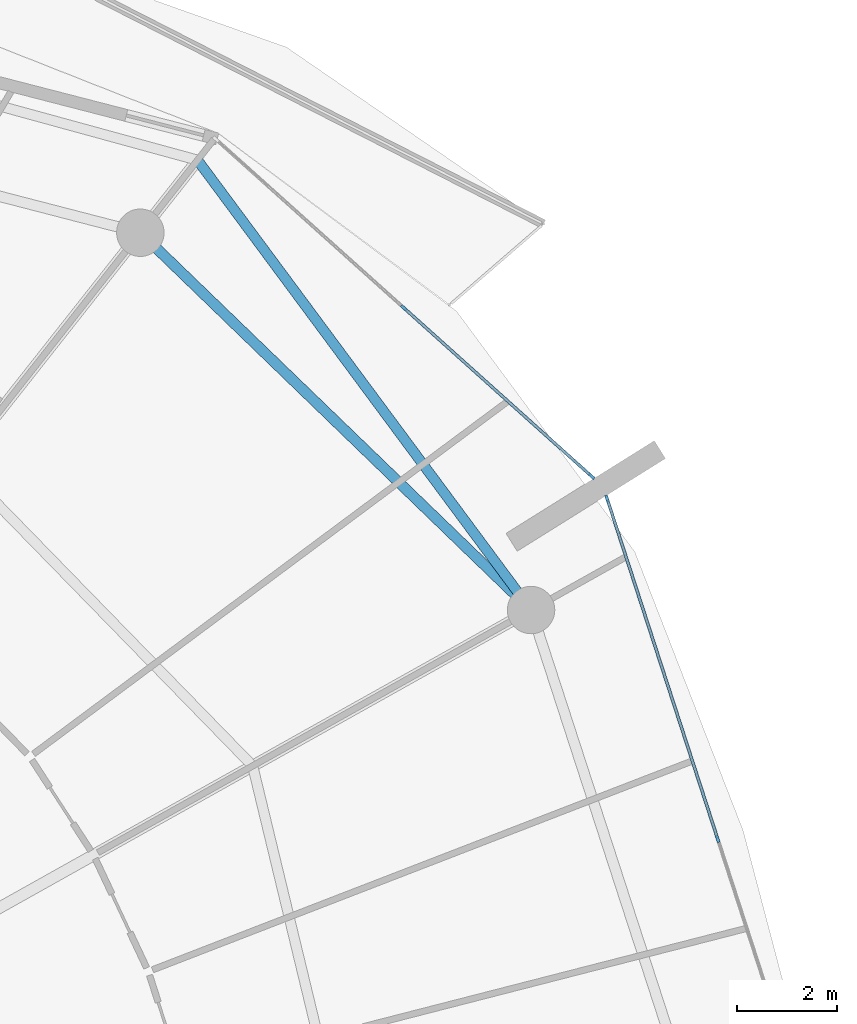
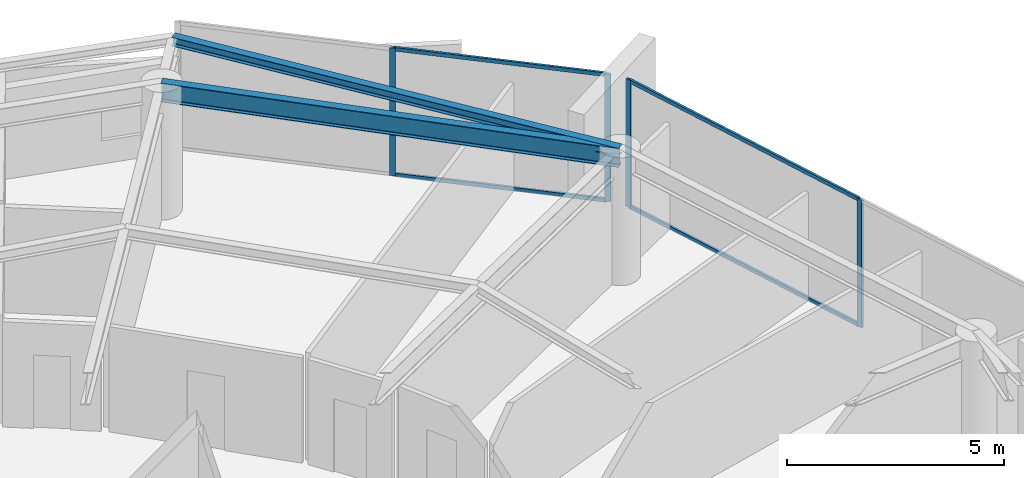
# One storey, part 15 of 30: 8 members, 2 beams, 2 elements without a shape of their own.
"""IFC4 building model written with IfcOpenShell, lengths in metres."""

from ifc_helpers import new_model, si_unit, direction, frame, origin, origin_2d, place, context, subcontext, project, spatial, rectangle, i_section, extrude, material, layer, layer_set, material_profile, profile_set, type_object, element, aggregate, save


model = new_model("IFC4")

# Units and contexts
model_context = context("Model", 3, precision=1e-05, world=origin(), true_north=direction((0.0, 1.0)))
body_context = subcontext(model_context, "Body", "Model", "MODEL_VIEW")
ifc_project = project(units=[si_unit("LENGTHUNIT", "METRE"), si_unit("AREAUNIT", "SQUARE_METRE"), si_unit("VOLUMEUNIT", "CUBIC_METRE"), si_unit("PLANEANGLEUNIT", "RADIAN"), si_unit("MASSUNIT", "GRAM", prefix="KILO")], contexts=[model_context])

# Site, building, storey
site_placement = place(None, origin())
site = spatial("IfcSite", under=ifc_project, at=site_placement, CompositionType="ELEMENT")
building_placement = place(site_placement, origin())
building = spatial("IfcBuilding", under=site, at=building_placement, Name="Kazma Halo Residences", CompositionType="ELEMENT")
storey_placement = place(building_placement, frame((0.0, 0.0, 298.300048828125)))
storey = spatial("IfcBuildingStorey", under=building, at=storey_placement, Name="L75", CompositionType="ELEMENT", Elevation=298.300048828125)

# Beams
ifc_material_1 = material(Name="Steel S355", Category="steel")
ifc_material_profile_1 = material_profile(ifc_material_1, i_section(OverallWidth=0.201904296875, OverallDepth=0.2470703125, WebThickness=0.00732421875, FlangeThickness=0.010986328125, FilletRadius=0.011962890625, at=origin_2d()), Name="W250x49.1")
ifc_profile_set_1 = profile_set([ifc_material_profile_1], Name="Steel S355")
beam_type_1 = type_object("IfcBeamType", Name="BM-BAL-CANT", PredefinedType="BEAM", material=ifc_profile_set_1)
beam_1_placement = place(storey_placement, frame((72.67041015625, 55.81591796875, 3.466552734375), z_axis=(-0.595556062515, 0.803313747176, 0.0), x_axis=(-0.803313747176, -0.595556062515, 0.0)))
element("IfcBeam", 1, at=beam_1_placement, inside=storey, type_object=beam_type_1, Name="L75 wave-balcony lead tie beam 01", PredefinedType="BEAM", context=body_context, shape_type="SweptSolid", body=[
    extrude(i_section(OverallWidth=0.201904296875, OverallDepth=0.2470703125, WebThickness=0.00732421875, FlangeThickness=0.010986328125, FilletRadius=0.011962890625, at=origin_2d()), origin(), (0.0, 0.0, 1.0), 11.213134765625),
])
ifc_material_profile_2 = material_profile(ifc_material_1, i_section(OverallWidth=0.208984375, OverallDepth=0.532958984375, WebThickness=0.01025390625, FlangeThickness=0.015625, FilletRadius=0.01611328125, at=origin_2d()), Name="W530x92")
ifc_profile_set_2 = profile_set([ifc_material_profile_2], Name="Steel S355")
beam_type_2 = type_object("IfcBeamType", Name="BM-SPN-W530", PredefinedType="BEAM", material=ifc_profile_set_2)
beam_2_placement = place(storey_placement, frame((72.67041015625, 55.81591796875, 3.323486328125), z_axis=(-0.719345757929, 0.694652201141, 0.0), x_axis=(-0.694652201141, -0.719345757929, 0.0)))
element("IfcBeam", 2, at=beam_2_placement, inside=storey, type_object=beam_type_2, Name="L75 perimeter ring beam 01", PredefinedType="BEAM", context=body_context, shape_type="SweptSolid", body=[
    extrude(i_section(OverallWidth=0.208984375, OverallDepth=0.532958984375, WebThickness=0.01025390625, FlangeThickness=0.015625, FilletRadius=0.01611328125, at=origin_2d()), origin(), (0.0, 0.0, 1.0), 10.87548828125),
])

# Curtain wall, members
ifc_material_2 = material(Name="Aluminium AW-6063 T6 and Triple-Silver Low-E Glass", Category="aluminium")
ifc_layer = layer(ifc_material_2, 0.139892578125)
ifc_layer_set = layer_set([ifc_layer], Name="Aluminium AW-6063 T6 and Triple-Silver Low-E Glass")
curtain_wall_type = type_object("IfcCurtainWallType", Name="CW-SYS-5", PredefinedType="NOTDEFINED", material=ifc_layer_set)
curtain_wall_1_placement = place(storey_placement, origin())
curtain_wall_1 = element("IfcCurtainWall", 3, at=curtain_wall_1_placement, inside=storey, type_object=curtain_wall_type, Name="L75 unitised curtain wall B01", PredefinedType="NOTDEFINED")
ifc_material_3 = material(Name="Aluminium AW-6063 T6", Category="aluminium")
ifc_material_profile_3 = material_profile(ifc_material_3, rectangle(XDim=0.06005859375, YDim=0.139892578125, at=origin_2d()), Name="CWM-60x140")
ifc_profile_set_3 = profile_set([ifc_material_profile_3], Name="Aluminium AW-6063 T6")
member_type_1 = type_object("IfcMemberType", Name="CW-SYS-5-MUL", PredefinedType="MULLION", material=ifc_profile_set_3)
member_1_placement = place(storey_placement, frame((73.88330078125, 58.491943359375, 0.0), z_axis=(0.0, 0.0, 1.0), x_axis=(-0.667804826958, -0.744336424671, 0.0)))
member_1 = element("IfcMember", 4, at=member_1_placement, type_object=member_type_1, Name="CWS-5 mullion 1", PredefinedType="MULLION", context=body_context, shape_type="SweptSolid", body=[
    extrude(rectangle(XDim=0.06005859375, YDim=0.139892578125, at=origin_2d()), origin(), (0.0, 0.0, 1.0), 3.58984375),
])
member_2_placement = place(storey_placement, frame((70.121826171875, 61.86669921875, 0.0), z_axis=(0.0, 0.0, 1.0), x_axis=(-0.667804826958, -0.744336424671, 0.0)))
member_2 = element("IfcMember", 5, at=member_2_placement, type_object=member_type_1, Name="CWS-5 mullion 2", PredefinedType="MULLION", context=body_context, shape_type="SweptSolid", body=[
    extrude(rectangle(XDim=0.06005859375, YDim=0.139892578125, at=origin_2d()), origin(), (0.0, 0.0, 1.0), 3.58984375),
])

curtain_wall_2_placement = place(storey_placement, origin())
curtain_wall_2 = element("IfcCurtainWall", 6, at=curtain_wall_2_placement, inside=storey, type_object=curtain_wall_type, Name="L75 unitised curtain wall B16", PredefinedType="NOTDEFINED")
member_3_placement = place(storey_placement, frame((76.40771484375, 51.230224609375, 0.0), z_axis=(0.0, 0.0, 1.0), x_axis=(-0.951058464359, -0.309010998786, 0.0)))
member_3 = element("IfcMember", 7, at=member_3_placement, type_object=member_type_1, Name="CWS-5 mullion 2", PredefinedType="MULLION", context=body_context, shape_type="SweptSolid", body=[
    extrude(rectangle(XDim=0.06005859375, YDim=0.139892578125, at=origin_2d()), origin(), (0.0, 0.0, 1.0), 3.58984375),
])
member_4_placement = place(storey_placement, frame((74.1923828125, 58.0478515625, 0.0), z_axis=(0.0, 0.0, 1.0), x_axis=(-0.951058464359, -0.309010998786, 0.0)))
member_4 = element("IfcMember", 8, at=member_4_placement, type_object=member_type_1, Name="CWS-5 mullion 3", PredefinedType="MULLION", context=body_context, shape_type="SweptSolid", body=[
    extrude(rectangle(XDim=0.06005859375, YDim=0.139892578125, at=origin_2d()), origin(), (0.0, 0.0, 1.0), 3.58984375),
])

# Member
ifc_material_profile_4 = material_profile(ifc_material_3, rectangle(XDim=0.06005859375, YDim=0.10498046875, at=origin_2d()), Name="CWT-60x105")
ifc_profile_set_4 = profile_set([ifc_material_profile_4], Name="Aluminium AW-6063 T6")
member_type_2 = type_object("IfcMemberType", Name="CW-SYS-5-TRN", PredefinedType="USERDEFINED", material=ifc_profile_set_4)
member_5_placement = place(storey_placement, frame((73.861083984375, 58.511962890625, 0.030029296875), z_axis=(-0.744328897483, 0.667813216679, 0.0), x_axis=(-0.667813216679, -0.744328897483, 0.0)))
member_5 = element("IfcMember", 9, at=member_5_placement, type_object=member_type_2, Name="CWS-5 transom 1.1", ObjectType="TRANSOM", PredefinedType="USERDEFINED", context=body_context, shape_type="SweptSolid", body=[
    extrude(rectangle(XDim=0.06005859375, YDim=0.10498046875, at=origin_2d()), origin(), (0.0, 0.0, 1.0), 4.993408203125),
])

member_6_placement = place(storey_placement, frame((73.861083984375, 58.511962890625, 3.56005859375), z_axis=(-0.744328897483, 0.667813216679, 0.0), x_axis=(-0.667813216679, -0.744328897483, 0.0)))
member_6 = element("IfcMember", 10, at=member_6_placement, type_object=member_type_2, Name="CWS-5 transom 1.2", ObjectType="TRANSOM", PredefinedType="USERDEFINED", context=body_context, shape_type="SweptSolid", body=[
    extrude(rectangle(XDim=0.06005859375, YDim=0.10498046875, at=origin_2d()), origin(), (0.0, 0.0, 1.0), 4.993408203125),
])

aggregate(curtain_wall_1, [member_1, member_2, member_5, member_6])

member_7_placement = place(storey_placement, frame((76.3984375, 51.2587890625, 0.030029296875), z_axis=(-0.309027052142, 0.95105324827, 0.0), x_axis=(-0.95105324827, -0.309027052142, 0.0)))
member_7 = element("IfcMember", 11, at=member_7_placement, type_object=member_type_2, Name="CWS-5 transom 2.1", ObjectType="TRANSOM", PredefinedType="USERDEFINED", context=body_context, shape_type="SweptSolid", body=[
    extrude(rectangle(XDim=0.06005859375, YDim=0.10498046875, at=origin_2d()), origin(), (0.0, 0.0, 1.0), 7.108642578125),
])

member_8_placement = place(storey_placement, frame((76.3984375, 51.2587890625, 3.56005859375), z_axis=(-0.309027052142, 0.95105324827, 0.0), x_axis=(-0.95105324827, -0.309027052142, 0.0)))
member_8 = element("IfcMember", 12, at=member_8_placement, type_object=member_type_2, Name="CWS-5 transom 2.2", ObjectType="TRANSOM", PredefinedType="USERDEFINED", context=body_context, shape_type="SweptSolid", body=[
    extrude(rectangle(XDim=0.06005859375, YDim=0.10498046875, at=origin_2d()), origin(), (0.0, 0.0, 1.0), 7.108642578125),
])

aggregate(curtain_wall_2, [member_3, member_4, member_7, member_8])

save(model, "model.ifc")
